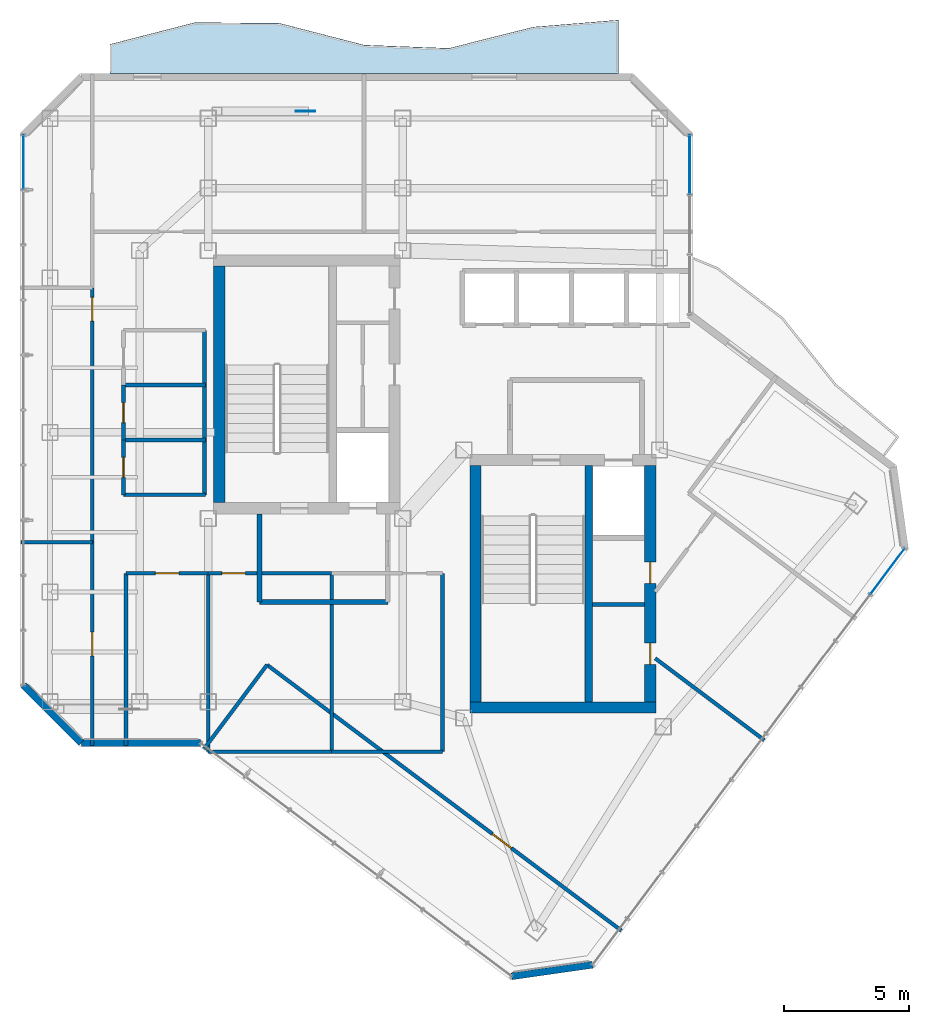
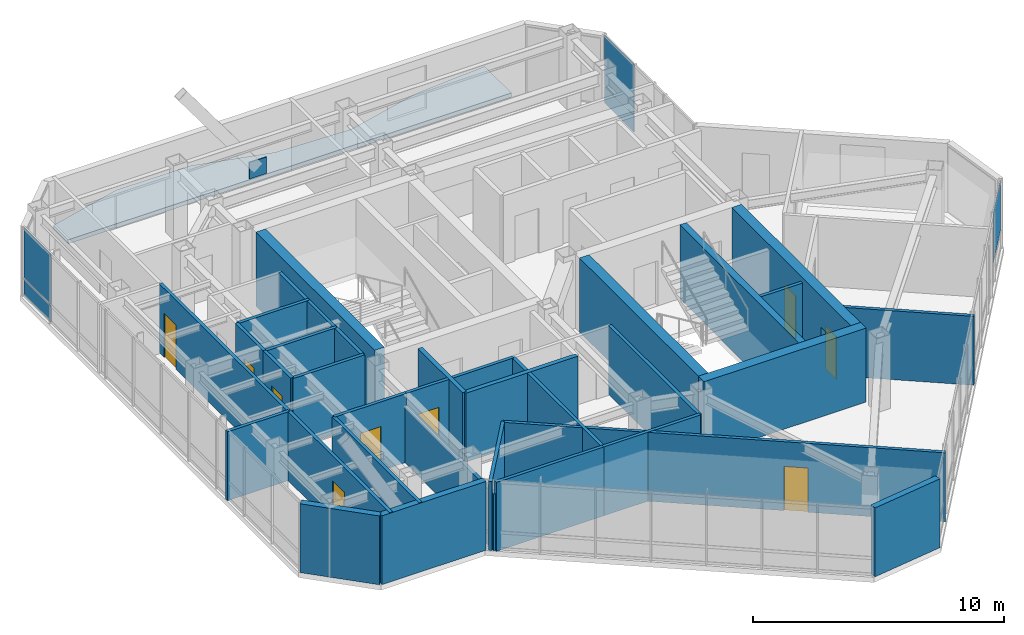
# One storey, part 17 of 22: 31 walls, 9 doors, 6 plates, 1 slab, 9 openings, 3 elements without a shape of their own.
"""IFC4 building model written with IfcOpenShell, lengths in metres."""

from ifc_helpers import new_model, si_unit, direction, frame, frame_2d, origin, origin_2d, place, context, subcontext, project, spatial, polyline, rectangle, outline, extrude, material, layer, layer_set, type_object, element, fill, aggregate, save


model = new_model("IFC4")

# Units and contexts
model_context = context("Model", 3, precision=1e-05, world=origin(), true_north=direction((0.0, 1.0)))
body_context = subcontext(model_context, "Body", "Model", "MODEL_VIEW")
ifc_project = project(units=[si_unit("LENGTHUNIT", "METRE"), si_unit("AREAUNIT", "SQUARE_METRE"), si_unit("VOLUMEUNIT", "CUBIC_METRE"), si_unit("PLANEANGLEUNIT", "RADIAN"), si_unit("MASSUNIT", "GRAM", prefix="KILO")], contexts=[model_context])

# Site, building, storey
site_placement = place(None, origin())
site = spatial("IfcSite", under=ifc_project, at=site_placement, CompositionType="ELEMENT")
building_placement = place(site_placement, origin())
building = spatial("IfcBuilding", under=site, at=building_placement, Name="Hatsunagi Terrace Concourse", CompositionType="ELEMENT")
storey_placement = place(building_placement, frame((0.0, 0.0, 243.14990234375)))
storey = spatial("IfcBuildingStorey", under=building, at=storey_placement, Name="L64", CompositionType="ELEMENT", Elevation=243.14990234375)

# Curtain wall, plate
ifc_material_1 = material(Name="Anodised Aluminium Alloy 6063-T5", Category="aluminium")
ifc_layer_1 = layer(ifc_material_1, 0.199951171875)
ifc_layer_set_1 = layer_set([ifc_layer_1], Name="OfficeZone2_CW04")
curtain_wall_type = type_object("IfcCurtainWallType", Name="OfficeZone2_CW04", PredefinedType="NOTDEFINED", material=ifc_layer_set_1)
curtain_wall_1_placement = place(storey_placement, origin())
curtain_wall_1 = element("IfcCurtainWall", 1, at=curtain_wall_1_placement, inside=storey, type_object=curtain_wall_type, Name="Unitised Curtain Wall CW-04 CW-L64-08", PredefinedType="NOTDEFINED")
ifc_material_2 = material(Name="Warm Terracotta Ceramic Spandrel Panel", Category="masonry")
ifc_layer_2 = layer(ifc_material_2, 0.031982421875)
ifc_layer_set_2 = layer_set([ifc_layer_2], Name="CurtainWallSpandrelPanel_32")
plate_type_1 = type_object("IfcPlateType", Name="CurtainWallSpandrelPanel_32", PredefinedType="SHEET", material=ifc_layer_set_2)
plate_1_placement = place(storey_placement, frame((18.139892578125, 46.837890625, 0.030029296875), z_axis=(0.0, 0.0, 1.0), x_axis=(0.0, 1.0, 0.0)))
plate_1 = element("IfcPlate", 2, at=plate_1_placement, type_object=plate_type_1, Name="Terracotta Spandrel Panel SPN-01", PredefinedType="SHEET", context=body_context, shape_type="SweptSolid", body=[
    extrude(rectangle(XDim=2.153076171875, YDim=0.031982421875, at=origin_2d()), origin(), (0.0, 0.0, 1.0), 0.7900390625),
])

curtain_wall_2_placement = place(storey_placement, origin())
curtain_wall_2 = element("IfcCurtainWall", 3, at=curtain_wall_2_placement, inside=storey, type_object=curtain_wall_type, Name="Unitised Curtain Wall CW-04 CW-L64-12", PredefinedType="NOTDEFINED")
plate_2_placement = place(storey_placement, frame((44.860107421875, 46.739990234375, 0.030029296875), z_axis=(0.0, 0.0, 1.0), x_axis=(0.0, -1.0, 0.0)))
plate_2 = element("IfcPlate", 4, at=plate_2_placement, type_object=plate_type_1, Name="Terracotta Spandrel Panel SPN-01", PredefinedType="SHEET", context=body_context, shape_type="SweptSolid", body=[
    extrude(rectangle(XDim=2.34912109375, YDim=0.031982421875, at=origin_2d()), origin(), (0.0, 0.0, 1.0), 0.7900390625),
])

curtain_wall_3_placement = place(storey_placement, origin())
curtain_wall_3 = element("IfcCurtainWall", 5, at=curtain_wall_3_placement, inside=storey, type_object=curtain_wall_type, Name="Unitised Curtain Wall CW-04 CW-L64-03", PredefinedType="NOTDEFINED")
ifc_material_3 = material(Name="Low-E Double Insulating Glass 28mm", Category="glass")
ifc_layer_3 = layer(ifc_material_3, 0.028076171875)
ifc_layer_set_3 = layer_set([ifc_layer_3], Name="CurtainWallVisionGlass_28")
plate_type_2 = type_object("IfcPlateType", Name="CurtainWallVisionGlass_28", PredefinedType="CURTAIN_PANEL", material=ifc_layer_set_3)
plate_3_placement = place(storey_placement, frame((52.797119140625, 30.429931640625, 0.880126953125), z_axis=(0.0, 0.0, 1.0), x_axis=(-0.599969314634, -0.800023013105, 0.0)))
plate_3 = element("IfcPlate", 6, at=plate_3_placement, type_object=plate_type_2, Name="Low-E Vision Glass Panel GLZ-01", PredefinedType="CURTAIN_PANEL", context=body_context, shape_type="SweptSolid", body=[
    extrude(rectangle(XDim=2.264892578125, YDim=0.028076171875, at=origin_2d()), origin(), (0.0, 0.0, 1.0), 2.43994140625),
])
aggregate(curtain_wall_3, [plate_3])

# Plate
plate_4_placement = place(storey_placement, frame((18.139892578125, 46.837890625, 0.880126953125), z_axis=(0.0, 0.0, 1.0), x_axis=(0.0, 1.0, 0.0)))
plate_4 = element("IfcPlate", 7, at=plate_4_placement, type_object=plate_type_2, Name="Low-E Vision Glass Panel GLZ-01", PredefinedType="CURTAIN_PANEL", context=body_context, shape_type="SweptSolid", body=[
    extrude(rectangle(XDim=2.153076171875, YDim=0.028076171875, at=origin_2d()), origin(), (0.0, 0.0, 1.0), 2.43994140625),
])

aggregate(curtain_wall_1, [plate_1, plate_4])

plate_5_placement = place(storey_placement, frame((44.860107421875, 46.739990234375, 0.880126953125), z_axis=(0.0, 0.0, 1.0), x_axis=(0.0, -1.0, 0.0)))
plate_5 = element("IfcPlate", 8, at=plate_5_placement, type_object=plate_type_2, Name="Low-E Vision Glass Panel GLZ-01", PredefinedType="CURTAIN_PANEL", context=body_context, shape_type="SweptSolid", body=[
    extrude(rectangle(XDim=2.34912109375, YDim=0.028076171875, at=origin_2d()), origin(), (0.0, 0.0, 1.0), 2.43994140625),
])

aggregate(curtain_wall_2, [plate_2, plate_5])

# Slab
ifc_material_4 = material(Name="Concrete Fc42", Category="concrete")
ifc_layer_4 = layer(ifc_material_4, 0.199951171875)
ifc_layer_set_4 = layer_set([ifc_layer_4], Name="EngawaBalconySlab_Fc42_200")
slab_type = type_object("IfcSlabType", Name="EngawaBalconySlab_Fc42_200", PredefinedType="FLOOR", material=ifc_layer_set_4)
slab_placement = place(storey_placement, frame((0.0, 0.0, -0.199951171875)))
element("IfcSlab", 9, at=slab_placement, inside=storey, type_object=slab_type, Name="Engawa Balcony Slab BAL-L64-BN", PredefinedType="FLOOR", context=body_context, shape_type="SweptSolid", body=[
    extrude(outline(polyline([(21.60009765625, 51.568115234375), (21.60009765625, 50.39990234375), (42.0, 50.39990234375), (42.0, 52.5439453125), (38.60009765625, 52.264892578125), (35.199951171875, 51.410888671875), (31.800048828125, 51.541015625), (28.39990234375, 52.41796875), (25.0, 52.44091796875), (21.60009765625, 51.568115234375)])), origin(), (0.0, 0.0, 1.0), 0.199951171875),
])

# Plate
ifc_material_5 = material(Name="Steel SN490C", Category="steel")
ifc_layer_5 = layer(ifc_material_5, 0.031982421875)
ifc_layer_set_5 = layer_set([ifc_layer_5], Name="XBraceNodeCapPlate_32")
plate_type_3 = type_object("IfcPlateType", Name="XBraceNodeCapPlate_32", PredefinedType="USERDEFINED", material=ifc_layer_set_5)
plate_6_placement = place(storey_placement, frame((29.449951171875, 48.8798828125, 1.27490234375), z_axis=(0.0, 0.0, 1.0), x_axis=(1.0, 0.0, 0.0)))
element("IfcPlate", 10, at=plate_6_placement, inside=storey, type_object=plate_type_3, Name="X-Brace Crossing Gusset Node Plate GP-02 XB-L63-SE", ObjectType="GUSSET_PLATE", PredefinedType="USERDEFINED", context=body_context, shape_type="SweptSolid", body=[
    extrude(rectangle(XDim=0.800048828125, YDim=0.031982421875, at=origin_2d()), origin(), (0.0, 0.0, 1.0), 0.800048828125),
])

# Walls
ifc_material_6 = material(Name="Concrete Fc42", Category="concrete")
ifc_layer_6 = layer(ifc_material_6, 0.449951171875)
ifc_layer_set_6 = layer_set([ifc_layer_6], Name="CoreShearWall_Fc42_450")
wall_type_1 = type_object("IfcWallType", Name="CoreShearWall_Fc42_450", PredefinedType="SHEAR", material=ifc_layer_set_6)
wall_1_placement = place(storey_placement, frame((25.9951171875, 33.18994140625, 0.0), z_axis=(0.0, 0.0, 1.0), x_axis=(0.0, 1.0, 0.0)))
element("IfcWall", 11, at=wall_1_placement, inside=storey, type_object=wall_type_1, Name="Core A Shear Wall W L64", PredefinedType="SHEAR", context=body_context, shape_type="SweptSolid", body=[
    extrude(rectangle(XDim=9.47998046875, YDim=0.449951171875, at=frame_2d((4.739990234375, 0.0))), origin(), (0.0, 0.0, 1.0), 3.60009765625),
])
wall_2_placement = place(storey_placement, frame((36.0400390625, 24.965087890625, 0.0), z_axis=(0.0, 0.0, 1.0), x_axis=(1.0, 0.0, 0.0)))
element("IfcWall", 12, at=wall_2_placement, inside=storey, type_object=wall_type_1, Name="Core B Shear Wall S L64", PredefinedType="SHEAR", context=body_context, shape_type="SweptSolid", body=[
    extrude(rectangle(XDim=7.4599609375, YDim=0.449951171875, at=frame_2d((3.72998046875, 0.0))), origin(), (0.0, 0.0, 1.0), 3.60009765625),
])
wall_3_placement = place(storey_placement, frame((36.264892578125, 25.18994140625, 0.0), z_axis=(0.0, 0.0, 1.0), x_axis=(0.0, 1.0, 0.0)))
element("IfcWall", 13, at=wall_3_placement, inside=storey, type_object=wall_type_1, Name="Core B Shear Wall W L64", PredefinedType="SHEAR", context=body_context, shape_type="SweptSolid", body=[
    extrude(rectangle(XDim=9.47998046875, YDim=0.449951171875, at=frame_2d((4.739990234375, 0.0))), origin(), (0.0, 0.0, 1.0), 3.60009765625),
])

# Wall, openings, doors
wall_4_placement = place(storey_placement, frame((43.27490234375, 25.18994140625, 0.0), z_axis=(0.0, 0.0, 1.0), x_axis=(0.0, 1.0, 0.0)))
wall_4 = element("IfcWall", 14, at=wall_4_placement, inside=storey, type_object=wall_type_1, Name="Core B Shear Wall E L64", PredefinedType="SHEAR", context=body_context, shape_type="SweptSolid", body=[
    extrude(rectangle(XDim=9.47998046875, YDim=0.449951171875, at=frame_2d((4.739990234375, 0.0))), origin(), (0.0, 0.0, 1.0), 3.60009765625),
])
opening_1_placement = place(wall_4_placement, frame((1.510009765625, 0.0, 0.0)))
opening_1 = element("IfcOpeningElement", 15, at=opening_1_placement, cuts=wall_4, Name="Opening DR-085", PredefinedType="OPENING", context=body_context, shape_type="SweptSolid", body=[
    extrude(rectangle(XDim=0.85009765625, YDim=2.080078125, at=frame_2d((0.425048828125, 1.0400390625))), frame((0.0, 0.23486328125, 0.0), z_axis=(0.0, -1.0, 0.0), x_axis=(1.0, 0.0, 0.0)), (0.0, 0.0, 1.0), 0.469970703125),
])
opening_2_placement = place(wall_4_placement, frame((4.760009765625, 0.0, 0.0)))
opening_2 = element("IfcOpeningElement", 16, at=opening_2_placement, cuts=wall_4, Name="Opening DR-085", PredefinedType="OPENING", context=body_context, shape_type="SweptSolid", body=[
    extrude(rectangle(XDim=0.85009765625, YDim=2.080078125, at=frame_2d((0.425048828125, 1.0400390625))), frame((0.0, 0.23486328125, 0.0), z_axis=(0.0, -1.0, 0.0), x_axis=(1.0, 0.0, 0.0)), (0.0, 0.0, 1.0), 0.469970703125),
])
ifc_material_7 = material(Name="Painted steel", Category="steel")
door_type_1 = type_object("IfcDoorType", Name="RiserAccessDoor_EI60_850", OperationType="NOTDEFINED", PredefinedType="DOOR", material=ifc_material_7)
door_1_placement = place(opening_1_placement, origin())
door_1 = element("IfcDoor", 17, at=door_1_placement, inside=storey, type_object=door_type_1, Name="Core B Riser Door L64-1", OperationType="SINGLE_SWING_RIGHT", OverallHeight=2.080078125, OverallWidth=0.85009765625, PredefinedType="DOOR", context=body_context, shape_type="SweptSolid", body=[
    extrude(rectangle(XDim=0.85009765625, YDim=2.080078125, at=frame_2d((0.425048828125, 1.0400390625))), frame((0.0, 0.02490234375, 0.0), z_axis=(0.0, -1.0, 0.0), x_axis=(1.0, 0.0, 0.0)), (0.0, 0.0, 1.0), 0.050048828125),
])
fill(opening_1, door_1)
door_2_placement = place(opening_2_placement, origin())
door_2 = element("IfcDoor", 18, at=door_2_placement, inside=storey, type_object=door_type_1, Name="Core B Riser Door L64-2", OperationType="SINGLE_SWING_RIGHT", OverallHeight=2.080078125, OverallWidth=0.85009765625, PredefinedType="DOOR", context=body_context, shape_type="SweptSolid", body=[
    extrude(rectangle(XDim=0.85009765625, YDim=2.080078125, at=frame_2d((0.425048828125, 1.0400390625))), frame((0.0, 0.02490234375, 0.0), z_axis=(0.0, -1.0, 0.0), x_axis=(1.0, 0.0, 0.0)), (0.0, 0.0, 1.0), 0.050048828125),
])
fill(opening_2, door_2)

# Walls
ifc_material_8 = material(Name="Concrete Fc48", Category="concrete")
ifc_layer_7 = layer(ifc_material_8, 0.300048828125)
ifc_layer_set_7 = layer_set([ifc_layer_7], Name="CoreStairDivider_Fc48_300")
wall_type_2 = type_object("IfcWallType", Name="CoreStairDivider_Fc48_300", PredefinedType="SHEAR", material=ifc_layer_set_7)
wall_5_placement = place(storey_placement, frame((40.81005859375, 25.18994140625, 0.0), z_axis=(0.0, 0.0, 1.0), x_axis=(0.0, 1.0, 0.0)))
element("IfcWall", 19, at=wall_5_placement, inside=storey, type_object=wall_type_2, Name="Core B Shear Wall D L64", PredefinedType="SHEAR", context=body_context, shape_type="SweptSolid", body=[
    extrude(rectangle(XDim=9.47998046875, YDim=0.300048828125, at=frame_2d((4.739990234375, 0.0))), origin(), (0.0, 0.0, 1.0), 3.60009765625),
])
ifc_material_9 = material(Name="Acoustic mineral board", Category="gypsum")
ifc_layer_8 = layer(ifc_material_9, 0.14990234375)
ifc_layer_set_8 = layer_set([ifc_layer_8], Name="PartitionWall_EI60_150")
wall_type_3 = type_object("IfcWallType", Name="PartitionWall_EI60_150", PredefinedType="PARTITIONING", material=ifc_layer_set_8)
wall_6_placement = place(storey_placement, frame((40.969970703125, 29.10009765625, 0.0), z_axis=(0.0, 0.0, 1.0), x_axis=(1.0, 0.0, 0.0)))
element("IfcWall", 20, at=wall_6_placement, inside=storey, type_object=wall_type_3, Name="Interior Partition IW-L64-005", PredefinedType="PARTITIONING", context=body_context, shape_type="SweptSolid", body=[
    extrude(rectangle(XDim=2.080078125, YDim=0.14990234375, at=frame_2d((1.0400390625, 0.0))), origin(), (0.0, 0.0, 1.0), 3.35009765625),
])
wall_7_placement = place(storey_placement, frame((22.14990234375, 33.5, 0.0), z_axis=(0.0, 0.0, 1.0), x_axis=(1.0, 0.0, 0.0)))
element("IfcWall", 21, at=wall_7_placement, inside=storey, type_object=wall_type_3, Name="Interior Partition IW-L64-018", PredefinedType="PARTITIONING", context=body_context, shape_type="SweptSolid", body=[
    extrude(rectangle(XDim=3.300048828125, YDim=0.14990234375, at=frame_2d((1.64990234375, 0.0))), origin(), (0.0, 0.0, 1.0), 3.35009765625),
])
wall_8_placement = place(storey_placement, frame((25.39990234375, 33.5, 0.0), z_axis=(0.0, 0.0, 1.0), x_axis=(0.0, 1.0, 0.0)))
element("IfcWall", 22, at=wall_8_placement, inside=storey, type_object=wall_type_3, Name="Interior Partition IW-L64-020", PredefinedType="PARTITIONING", context=body_context, shape_type="SweptSolid", body=[
    extrude(rectangle(XDim=6.60009765625, YDim=0.14990234375, at=frame_2d((3.300048828125, 0.0))), origin(), (0.0, 0.0, 1.0), 3.35009765625),
])
for number, where, z_axis, x_axis, name in (
    (23, (22.14990234375, 35.699951171875, 0.0), (0.0, 0.0, 1.0), (1.0, 0.0, 0.0), "Interior Partition IW-L64-021"),
    (24, (22.14990234375, 37.89990234375, 0.0), (0.0, 0.0, 1.0), (1.0, 0.0, 0.0), "Interior Partition IW-L64-022"),
):
    element("IfcWall", number, at=place(storey_placement, frame(where, z_axis=z_axis, x_axis=x_axis)), inside=storey, type_object=wall_type_3, Name=name, PredefinedType="PARTITIONING", context=body_context, shape_type="SweptSolid", body=[
        extrude(rectangle(XDim=3.300048828125, YDim=0.14990234375, at=frame_2d((1.64990234375, 0.0))), origin(), (0.0, 0.0, 1.0), 3.35009765625),
    ])

# Wall, opening, door
wall_9_placement = place(storey_placement, frame((22.14990234375, 33.5, 0.0), z_axis=(0.0, 0.0, 1.0), x_axis=(0.0, 1.0, 0.0)))
wall_9 = element("IfcWall", 25, at=wall_9_placement, inside=storey, type_object=wall_type_3, Name="Interior Partition IW-L64-023", PredefinedType="PARTITIONING", context=body_context, shape_type="SweptSolid", body=[
    extrude(rectangle(XDim=2.199951171875, YDim=0.14990234375, at=frame_2d((1.10009765625, 0.0))), origin(), (0.0, 0.0, 1.0), 3.35009765625),
])
opening_3_placement = place(wall_9_placement, frame((0.699951171875, 0.0, 0.0)))
opening_3 = element("IfcOpeningElement", 26, at=opening_3_placement, cuts=wall_9, Name="Opening DR-080", PredefinedType="OPENING", context=body_context, shape_type="SweptSolid", body=[
    extrude(rectangle(XDim=0.800048828125, YDim=2.06005859375, at=frame_2d((0.39990234375, 1.030029296875))), frame((0.0, 0.0849609375, 0.0), z_axis=(0.0, -1.0, 0.0), x_axis=(1.0, 0.0, 0.0)), (0.0, 0.0, 1.0), 0.169921875),
])
ifc_material_10 = material(Name="Hardwood timber", Category="wood")
door_type_2 = type_object("IfcDoorType", Name="BathroomDoor_800", OperationType="NOTDEFINED", PredefinedType="DOOR", material=ifc_material_10)
door_3_placement = place(opening_3_placement, origin())
door_3 = element("IfcDoor", 27, at=door_3_placement, inside=storey, type_object=door_type_2, Name="Accessible WC Door L64", OperationType="SINGLE_SWING_RIGHT", OverallHeight=2.06005859375, OverallWidth=0.800048828125, PredefinedType="DOOR", context=body_context, shape_type="SweptSolid", body=[
    extrude(rectangle(XDim=0.800048828125, YDim=2.06005859375, at=frame_2d((0.39990234375, 1.030029296875))), frame((0.0, 0.02490234375, 0.0), z_axis=(0.0, -1.0, 0.0), x_axis=(1.0, 0.0, 0.0)), (0.0, 0.0, 1.0), 0.050048828125),
])
fill(opening_3, door_3)

wall_10_placement = place(storey_placement, frame((22.14990234375, 35.699951171875, 0.0), z_axis=(0.0, 0.0, 1.0), x_axis=(0.0, 1.0, 0.0)))
wall_10 = element("IfcWall", 28, at=wall_10_placement, inside=storey, type_object=wall_type_3, Name="Interior Partition IW-L64-024", PredefinedType="PARTITIONING", context=body_context, shape_type="SweptSolid", body=[
    extrude(rectangle(XDim=2.199951171875, YDim=0.14990234375, at=frame_2d((1.10009765625, 0.0))), origin(), (0.0, 0.0, 1.0), 3.35009765625),
])
opening_4_placement = place(wall_10_placement, frame((0.699951171875, 0.0, 0.0)))
opening_4 = element("IfcOpeningElement", 29, at=opening_4_placement, cuts=wall_10, Name="Opening DR-080", PredefinedType="OPENING", context=body_context, shape_type="SweptSolid", body=[
    extrude(rectangle(XDim=0.800048828125, YDim=2.06005859375, at=frame_2d((0.39990234375, 1.030029296875))), frame((0.0, 0.0849609375, 0.0), z_axis=(0.0, -1.0, 0.0), x_axis=(1.0, 0.0, 0.0)), (0.0, 0.0, 1.0), 0.169921875),
])
door_4_placement = place(opening_4_placement, origin())
door_4 = element("IfcDoor", 30, at=door_4_placement, inside=storey, type_object=door_type_2, Name="Female Restroom Door L64", OperationType="SINGLE_SWING_RIGHT", OverallHeight=2.06005859375, OverallWidth=0.800048828125, PredefinedType="DOOR", context=body_context, shape_type="SweptSolid", body=[
    extrude(rectangle(XDim=0.800048828125, YDim=2.06005859375, at=frame_2d((0.39990234375, 1.030029296875))), frame((0.0, 0.02490234375, 0.0), z_axis=(0.0, -1.0, 0.0), x_axis=(1.0, 0.0, 0.0)), (0.0, 0.0, 1.0), 0.050048828125),
])
fill(opening_4, door_4)

# Wall
wall_11_placement = place(storey_placement, frame((25.550048828125, 23.199951171875, 0.0), z_axis=(0.0, 0.0, 1.0), x_axis=(1.0, 0.0, 0.0)))
element("IfcWall", 31, at=wall_11_placement, inside=storey, type_object=wall_type_3, Name="Interior Partition IW-L64-026", PredefinedType="PARTITIONING", context=body_context, shape_type="SweptSolid", body=[
    extrude(rectangle(XDim=4.949951171875, YDim=0.14990234375, at=frame_2d((2.47509765625, 0.0))), origin(), (0.0, 0.0, 1.0), 3.35009765625),
])

# Wall, opening, door
wall_12_placement = place(storey_placement, frame((25.550048828125, 30.35009765625, 0.0), z_axis=(0.0, 0.0, 1.0), x_axis=(1.0, 0.0, 0.0)))
wall_12 = element("IfcWall", 32, at=wall_12_placement, inside=storey, type_object=wall_type_3, Name="Interior Partition IW-L64-027", PredefinedType="PARTITIONING", context=body_context, shape_type="SweptSolid", body=[
    extrude(rectangle(XDim=4.949951171875, YDim=0.14990234375, at=frame_2d((2.47509765625, 0.0))), origin(), (0.0, 0.0, 1.0), 3.35009765625),
])
opening_5_placement = place(wall_12_placement, frame((0.5419921875, 0.0, 0.0)))
opening_5 = element("IfcOpeningElement", 33, at=opening_5_placement, cuts=wall_12, Name="Opening DR-095", PredefinedType="OPENING", context=body_context, shape_type="SweptSolid", body=[
    extrude(rectangle(XDim=0.949951171875, YDim=2.14990234375, at=frame_2d((0.47509765625, 1.074951171875))), frame((0.0, 0.0849609375, 0.0), z_axis=(0.0, -1.0, 0.0), x_axis=(1.0, 0.0, 0.0)), (0.0, 0.0, 1.0), 0.169921875),
])
ifc_material_11 = material(Name="Hardwood timber", Category="wood")
door_type_3 = type_object("IfcDoorType", Name="InteriorSuiteDoor_EI30_950", OperationType="NOTDEFINED", PredefinedType="DOOR", material=ifc_material_11)
door_5_placement = place(opening_5_placement, origin())
door_5 = element("IfcDoor", 34, at=door_5_placement, inside=storey, type_object=door_type_3, Name="Executive Office L64-RECL1 Door", OperationType="SINGLE_SWING_RIGHT", OverallHeight=2.14990234375, OverallWidth=0.949951171875, PredefinedType="DOOR", context=body_context, shape_type="SweptSolid", body=[
    extrude(rectangle(XDim=0.949951171875, YDim=2.14990234375, at=frame_2d((0.47509765625, 1.074951171875))), frame((0.0, 0.02490234375, 0.0), z_axis=(0.0, -1.0, 0.0), x_axis=(1.0, 0.0, 0.0)), (0.0, 0.0, 1.0), 0.050048828125),
])
fill(opening_5, door_5)

# Walls
wall_13_placement = place(storey_placement, frame((25.550048828125, 23.199951171875, 0.0), z_axis=(0.0, 0.0, 1.0), x_axis=(0.0, 1.0, 0.0)))
element("IfcWall", 35, at=wall_13_placement, inside=storey, type_object=wall_type_3, Name="Interior Partition IW-L64-028", PredefinedType="PARTITIONING", context=body_context, shape_type="SweptSolid", body=[
    extrude(rectangle(XDim=7.150146484375, YDim=0.14990234375, at=frame_2d((3.5751953125, 0.0))), origin(), (0.0, 0.0, 1.0), 2.757080078125),
])
wall_14_placement = place(storey_placement, frame((30.5, 23.199951171875, 0.0), z_axis=(0.0, 0.0, 1.0), x_axis=(0.0, 1.0, 0.0)))
element("IfcWall", 36, at=wall_14_placement, inside=storey, type_object=wall_type_3, Name="Interior Partition IW-L64-029", PredefinedType="PARTITIONING", context=body_context, shape_type="SweptSolid", body=[
    extrude(rectangle(XDim=7.150146484375, YDim=0.14990234375, at=frame_2d((3.5751953125, 0.0))), origin(), (0.0, 0.0, 1.0), 3.35009765625),
])
wall_15_placement = place(storey_placement, frame((30.5, 23.199951171875, 0.0), z_axis=(0.0, 0.0, 1.0), x_axis=(1.0, 0.0, 0.0)))
element("IfcWall", 37, at=wall_15_placement, inside=storey, type_object=wall_type_3, Name="Interior Partition IW-L64-030", PredefinedType="PARTITIONING", context=body_context, shape_type="SweptSolid", body=[
    extrude(rectangle(XDim=4.449951171875, YDim=0.14990234375, at=frame_2d((2.22509765625, 0.0))), origin(), (0.0, 0.0, 1.0), 3.35009765625),
])
wall_16_placement = place(storey_placement, frame((34.949951171875, 23.199951171875, 0.0), z_axis=(0.0, 0.0, 1.0), x_axis=(0.0, 1.0, 0.0)))
element("IfcWall", 38, at=wall_16_placement, inside=storey, type_object=wall_type_3, Name="Interior Partition IW-L64-032", PredefinedType="PARTITIONING", context=body_context, shape_type="SweptSolid", body=[
    extrude(rectangle(XDim=7.150146484375, YDim=0.14990234375, at=frame_2d((3.5751953125, 0.0))), origin(), (0.0, 0.0, 1.0), 3.35009765625),
])
wall_17_placement = place(storey_placement, frame((18.0400390625, 31.60009765625, 0.0), z_axis=(0.0, 0.0, 1.0), x_axis=(1.0, 0.0, 0.0)))
element("IfcWall", 39, at=wall_17_placement, inside=storey, type_object=wall_type_3, Name="Interior Partition IW-L64-033", PredefinedType="PARTITIONING", context=body_context, shape_type="SweptSolid", body=[
    extrude(rectangle(XDim=2.85986328125, YDim=0.14990234375, at=frame_2d((1.429931640625, 0.0))), origin(), (0.0, 0.0, 1.0), 3.35009765625),
])

# Wall, opening, door
wall_18_placement = place(storey_placement, frame((20.89990234375, 23.43994140625, 0.0), z_axis=(0.0, 0.0, 1.0), x_axis=(0.0, 1.0, 0.0)))
wall_18 = element("IfcWall", 40, at=wall_18_placement, inside=storey, type_object=wall_type_3, Name="Interior Partition IW-L64-034", PredefinedType="PARTITIONING", context=body_context, shape_type="SweptSolid", body=[
    extrude(rectangle(XDim=8.16015625, YDim=0.14990234375, at=frame_2d((4.080078125, 0.0))), origin(), (0.0, 0.0, 1.0), 3.35009765625),
])
opening_6_placement = place(wall_18_placement, frame((3.60498046875, 0.0, 0.0)))
opening_6 = element("IfcOpeningElement", 41, at=opening_6_placement, cuts=wall_18, Name="Opening DR-095", PredefinedType="OPENING", context=body_context, shape_type="SweptSolid", body=[
    extrude(rectangle(XDim=0.949951171875, YDim=2.14990234375, at=frame_2d((0.47509765625, 1.074951171875))), frame((0.0, 0.0849609375, 0.0), z_axis=(0.0, -1.0, 0.0), x_axis=(1.0, 0.0, 0.0)), (0.0, 0.0, 1.0), 0.169921875),
])
door_6_placement = place(opening_6_placement, origin())
door_6 = element("IfcDoor", 42, at=door_6_placement, inside=storey, type_object=door_type_3, Name="Design Studio L64-OW1 Door", OperationType="SINGLE_SWING_RIGHT", OverallHeight=2.14990234375, OverallWidth=0.949951171875, PredefinedType="DOOR", context=body_context, shape_type="SweptSolid", body=[
    extrude(rectangle(XDim=0.949951171875, YDim=2.14990234375, at=frame_2d((0.47509765625, 1.074951171875))), frame((0.0, 0.02490234375, 0.0), z_axis=(0.0, -1.0, 0.0), x_axis=(1.0, 0.0, 0.0)), (0.0, 0.0, 1.0), 0.050048828125),
])
fill(opening_6, door_6)

wall_19_placement = place(storey_placement, frame((20.89990234375, 31.60009765625, 0.0), z_axis=(0.0, 0.0, 1.0), x_axis=(0.0, 1.0, 0.0)))
wall_19 = element("IfcWall", 43, at=wall_19_placement, inside=storey, type_object=wall_type_3, Name="Interior Partition IW-L64-036", PredefinedType="PARTITIONING", context=body_context, shape_type="SweptSolid", body=[
    extrude(rectangle(XDim=10.199951171875, YDim=0.14990234375, at=frame_2d((5.10009765625, 0.0))), origin(), (0.0, 0.0, 1.0), 3.35009765625),
])
opening_7_placement = place(wall_19_placement, frame((8.8701171875, 0.0, 0.0)))
opening_7 = element("IfcOpeningElement", 44, at=opening_7_placement, cuts=wall_19, Name="Opening DR-095", PredefinedType="OPENING", context=body_context, shape_type="SweptSolid", body=[
    extrude(rectangle(XDim=0.949951171875, YDim=2.14990234375, at=frame_2d((0.47509765625, 1.074951171875))), frame((0.0, 0.0849609375, 0.0), z_axis=(0.0, -1.0, 0.0), x_axis=(1.0, 0.0, 0.0)), (0.0, 0.0, 1.0), 0.169921875),
])
door_7_placement = place(opening_7_placement, origin())
door_7 = element("IfcDoor", 45, at=door_7_placement, inside=storey, type_object=door_type_3, Name="Boardroom L64-OW2 Door", OperationType="SINGLE_SWING_RIGHT", OverallHeight=2.14990234375, OverallWidth=0.949951171875, PredefinedType="DOOR", context=body_context, shape_type="SweptSolid", body=[
    extrude(rectangle(XDim=0.949951171875, YDim=2.14990234375, at=frame_2d((0.47509765625, 1.074951171875))), frame((0.0, 0.02490234375, 0.0), z_axis=(0.0, -1.0, 0.0), x_axis=(1.0, 0.0, 0.0)), (0.0, 0.0, 1.0), 0.050048828125),
])
fill(opening_7, door_7)

# Wall
wall_20_placement = place(storey_placement, frame((43.47998046875, 26.93994140625, 0.0), z_axis=(0.0, 0.0, 1.0), x_axis=(0.80000536583, -0.599992845493, 0.0)))
element("IfcWall", 46, at=wall_20_placement, inside=storey, type_object=wall_type_3, Name="Interior Partition IW-L64-041", PredefinedType="PARTITIONING", context=body_context, shape_type="SweptSolid", body=[
    extrude(rectangle(XDim=5.4599609375, YDim=0.14990234375, at=frame_2d((2.72998046875, 0.0))), origin(), (0.0, 0.0, 1.0), 3.35009765625),
])

# Wall, opening, door
wall_21_placement = place(storey_placement, frame((22.25, 30.35009765625, 0.0), z_axis=(0.0, 0.0, 1.0), x_axis=(1.0, 0.0, 0.0)))
wall_21 = element("IfcWall", 47, at=wall_21_placement, inside=storey, type_object=wall_type_3, Name="Interior Partition IW-L64-046", PredefinedType="PARTITIONING", context=body_context, shape_type="SweptSolid", body=[
    extrude(rectangle(XDim=3.300048828125, YDim=0.14990234375, at=frame_2d((1.64990234375, 0.0))), origin(), (0.0, 0.0, 1.0), 3.35009765625),
])
opening_8_placement = place(wall_21_placement, frame((1.175048828125, 0.0, 0.0)))
opening_8 = element("IfcOpeningElement", 48, at=opening_8_placement, cuts=wall_21, Name="Opening DR-095", PredefinedType="OPENING", context=body_context, shape_type="SweptSolid", body=[
    extrude(rectangle(XDim=0.949951171875, YDim=2.14990234375, at=frame_2d((0.47509765625, 1.074951171875))), frame((0.0, 0.0849609375, 0.0), z_axis=(0.0, -1.0, 0.0), x_axis=(1.0, 0.0, 0.0)), (0.0, 0.0, 1.0), 0.169921875),
])
door_8_placement = place(opening_8_placement, origin())
door_8 = element("IfcDoor", 49, at=door_8_placement, inside=storey, type_object=door_type_3, Name="Private Salon L64-OCSW Door", OperationType="SINGLE_SWING_RIGHT", OverallHeight=2.14990234375, OverallWidth=0.949951171875, PredefinedType="DOOR", context=body_context, shape_type="SweptSolid", body=[
    extrude(rectangle(XDim=0.949951171875, YDim=2.14990234375, at=frame_2d((0.47509765625, 1.074951171875))), frame((0.0, 0.02490234375, 0.0), z_axis=(0.0, -1.0, 0.0), x_axis=(1.0, 0.0, 0.0)), (0.0, 0.0, 1.0), 0.050048828125),
])
fill(opening_8, door_8)

# Wall
wall_22_placement = place(storey_placement, frame((22.25, 23.43994140625, 0.0), z_axis=(0.0, 0.0, 1.0), x_axis=(0.0, 1.0, 0.0)))
element("IfcWall", 50, at=wall_22_placement, inside=storey, type_object=wall_type_3, Name="Interior Partition IW-L64-047", PredefinedType="PARTITIONING", context=body_context, shape_type="SweptSolid", body=[
    extrude(rectangle(XDim=6.91015625, YDim=0.14990234375, at=frame_2d((3.455078125, 0.0))), origin(), (0.0, 0.0, 1.0), 3.35009765625),
])

# Wall, opening, door
wall_23_placement = place(storey_placement, frame((27.909912109375, 26.679931640625, 0.0), z_axis=(0.0, 0.0, 1.0), x_axis=(0.8, -0.6, 0.0)))
wall_23 = element("IfcWall", 51, at=wall_23_placement, inside=storey, type_object=wall_type_3, Name="Interior Partition IW-L64-048", PredefinedType="PARTITIONING", context=body_context, shape_type="SweptSolid", body=[
    extrude(rectangle(XDim=17.760009765625, YDim=0.14990234375, at=frame_2d((8.8798828125, 0.0))), origin(), (0.0, 0.0, 1.0), 3.35009765625),
])
opening_9_placement = place(wall_23_placement, frame((11.2939453125, 0.0, 0.0)))
opening_9 = element("IfcOpeningElement", 52, at=opening_9_placement, cuts=wall_23, Name="Opening DR-095", PredefinedType="OPENING", context=body_context, shape_type="SweptSolid", body=[
    extrude(rectangle(XDim=0.949951171875, YDim=2.14990234375, at=frame_2d((0.47509765625, 1.074951171875))), frame((0.0, 0.0849609375, 0.0), z_axis=(0.0, -1.0, 0.0), x_axis=(1.0, 0.0, 0.0)), (0.0, 0.0, 1.0), 0.169921875),
])
door_9_placement = place(opening_9_placement, origin())
door_9 = element("IfcDoor", 53, at=door_9_placement, inside=storey, type_object=door_type_3, Name="Research Focus Suite L64-OSWS Door", OperationType="SINGLE_SWING_LEFT", OverallHeight=2.14990234375, OverallWidth=0.949951171875, PredefinedType="DOOR", context=body_context, shape_type="SweptSolid", body=[
    extrude(rectangle(XDim=0.949951171875, YDim=2.14990234375, at=frame_2d((0.47509765625, 1.074951171875))), frame((0.0, 0.02490234375, 0.0), z_axis=(0.0, -1.0, 0.0), x_axis=(1.0, 0.0, 0.0)), (0.0, 0.0, 1.0), 0.050048828125),
])
fill(opening_9, door_9)

# Walls
wall_24_placement = place(storey_placement, frame((25.384033203125, 23.31201171875, 0.0), z_axis=(0.0, 0.0, 1.0), x_axis=(0.599990721155, 0.80000695905, 0.0)))
element("IfcWall", 54, at=wall_24_placement, inside=storey, type_object=wall_type_3, Name="Interior Partition IW-L64-049", PredefinedType="PARTITIONING", context=body_context, shape_type="SweptSolid", body=[
    extrude(rectangle(XDim=4.2099609375, YDim=0.14990234375, at=frame_2d((2.10498046875, 0.0))), origin(), (0.0, 0.0, 1.0), 3.35009765625),
])
ifc_material_12 = material(Name="Acoustic mineral board", Category="gypsum")
ifc_layer_9 = layer(ifc_material_12, 0.199951171875)
ifc_layer_set_9 = layer_set([ifc_layer_9], Name="ShaftWall_EI120_200")
wall_type_4 = type_object("IfcWallType", Name="ShaftWall_EI120_200", PredefinedType="STANDARD", material=ifc_layer_set_9)
wall_25_placement = place(storey_placement, frame((27.60009765625, 29.199951171875, 0.0), z_axis=(0.0, 0.0, 1.0), x_axis=(1.0, 0.0, 0.0)))
element("IfcWall", 55, at=wall_25_placement, inside=storey, type_object=wall_type_4, Name="Interior Partition IW-L64-006", PredefinedType="STANDARD", context=body_context, shape_type="SweptSolid", body=[
    extrude(rectangle(XDim=5.14990234375, YDim=0.199951171875, at=frame_2d((2.574951171875, 0.0))), origin(), (0.0, 0.0, 1.0), 3.35009765625),
])
wall_26_placement = place(storey_placement, frame((27.60009765625, 29.199951171875, 0.0), z_axis=(0.0, 0.0, 1.0), x_axis=(0.0, 1.0, 0.0)))
element("IfcWall", 56, at=wall_26_placement, inside=storey, type_object=wall_type_4, Name="Interior Partition IW-L64-007", PredefinedType="STANDARD", context=body_context, shape_type="SweptSolid", body=[
    extrude(rectangle(XDim=3.5400390625, YDim=0.199951171875, at=frame_2d((1.77001953125, 0.0))), origin(), (0.0, 0.0, 1.0), 3.35009765625),
])
ifc_material_13 = material(Name="Autoclaved Lightweight Concrete and Terracotta Cladding", Category="masonry")
ifc_layer_10 = layer(ifc_material_13, 0.280029296875)
ifc_layer_set_10 = layer_set([ifc_layer_10], Name="TerracottaSpandrelWall_280")
wall_type_5 = type_object("IfcWallType", Name="TerracottaSpandrelWall_280", PredefinedType="STANDARD", material=ifc_layer_set_10)
wall_27_placement = place(storey_placement, frame((40.962890625, 14.64990234375, 0.0), z_axis=(0.0, 0.0, 1.0), x_axis=(-0.989977778067, -0.141223223777, 0.0)))
element("IfcWall", 57, at=wall_27_placement, inside=storey, type_object=wall_type_5, Name="Exterior Spandrel Wall EW-L64-04", PredefinedType="STANDARD", context=body_context, shape_type="SweptSolid", body=[
    extrude(rectangle(XDim=3.27783203125, YDim=0.280029296875, at=frame_2d((1.638916015625, 0.0))), origin(), (0.0, 0.0, 1.0), 3.35009765625),
])
wall_28_placement = place(storey_placement, frame((25.2470703125, 23.5400390625, 0.0), z_axis=(0.0, 0.0, 1.0), x_axis=(-1.0, 0.0, 0.0)))
element("IfcWall", 58, at=wall_28_placement, inside=storey, type_object=wall_type_5, Name="Exterior Spandrel Wall EW-L64-06", PredefinedType="STANDARD", context=body_context, shape_type="SweptSolid", body=[
    extrude(rectangle(XDim=4.7890625, YDim=0.280029296875, at=frame_2d((2.39453125, 0.0))), origin(), (0.0, 0.0, 1.0), 3.35009765625),
])
wall_29_placement = place(storey_placement, frame((20.4580078125, 23.5400390625, 0.0), z_axis=(0.0, 0.0, 1.0), x_axis=(-0.707144017911, 0.707069542501, 0.0)))
element("IfcWall", 59, at=wall_29_placement, inside=storey, type_object=wall_type_5, Name="Exterior Spandrel Wall EW-L64-07", PredefinedType="STANDARD", context=body_context, shape_type="SweptSolid", body=[
    extrude(rectangle(XDim=3.278076171875, YDim=0.280029296875, at=frame_2d((1.63916015625, 0.0))), origin(), (0.0, 0.0, 1.0), 3.35009765625),
])

save(model, "model.ifc")
